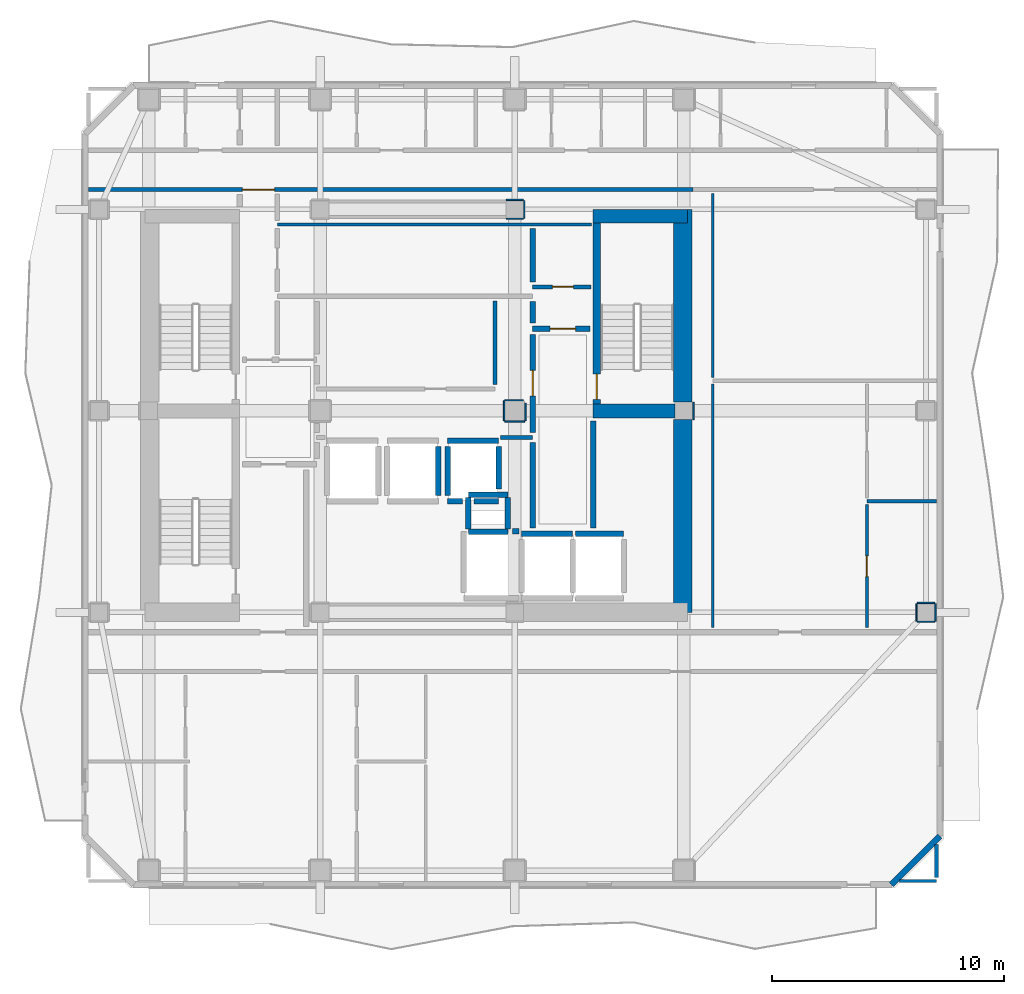
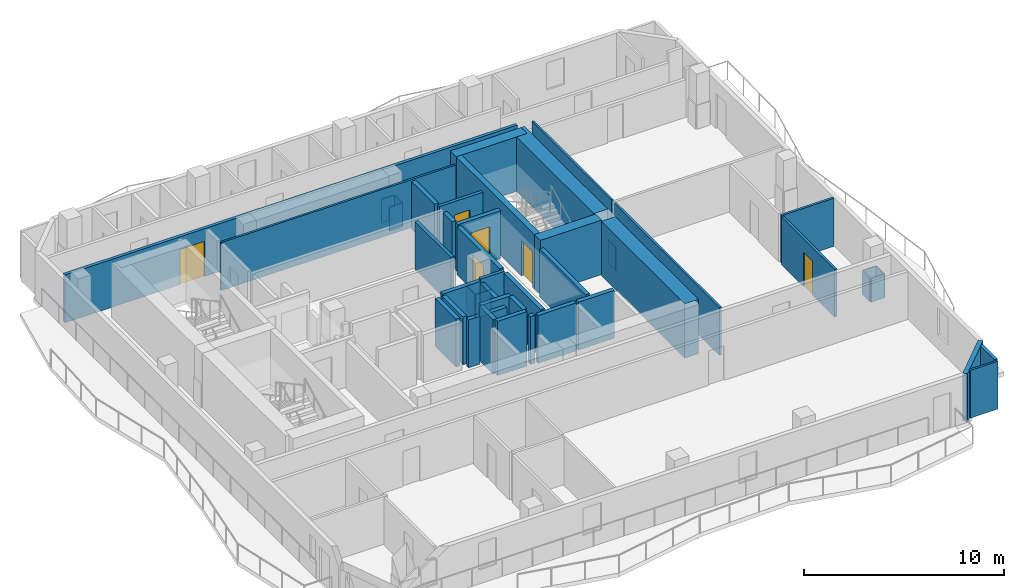
# One storey, part 4 of 9: 48 walls, 6 doors, 6 openings.
"""IFC4 building model written with IfcOpenShell, lengths in metres."""

from ifc_helpers import new_model, si_unit, direction, frame, frame_2d, origin, place, context, subcontext, project, spatial, rectangle, extrude, material, layer, layer_set, type_object, element, fill, save


model = new_model("IFC4")

# Units and contexts
model_context = context("Model", 3, precision=1e-05, world=origin(), true_north=direction((0.0, 1.0)))
body_context = subcontext(model_context, "Body", "Model", "MODEL_VIEW")
ifc_project = project(units=[si_unit("LENGTHUNIT", "METRE"), si_unit("AREAUNIT", "SQUARE_METRE"), si_unit("VOLUMEUNIT", "CUBIC_METRE"), si_unit("PLANEANGLEUNIT", "RADIAN"), si_unit("MASSUNIT", "GRAM", prefix="KILO")], contexts=[model_context])

# Site, building, storey
site_placement = place(None, origin())
site = spatial("IfcSite", under=ifc_project, at=site_placement, CompositionType="ELEMENT")
building_placement = place(site_placement, origin())
building = spatial("IfcBuilding", under=site, at=building_placement, Name="Solanera Arch Residences", CompositionType="ELEMENT")
storey_placement = place(building_placement, frame((0.0, 0.0, 223.360107421875)))
storey = spatial("IfcBuildingStorey", under=building, at=storey_placement, Name="L65", CompositionType="ELEMENT", Elevation=223.360107421875)

# Walls
ifc_material_1 = material(Name="Fire-Rated Gypsum Stud Partition", Category="gypsum")
ifc_layer_1 = layer(ifc_material_1, 0.06005859375)
ifc_layer_set_1 = layer_set([ifc_layer_1], Name="Fire-Rated Gypsum Stud Partition")
wall_type_1 = type_object("IfcWallType", Name="Column Acoustic Furring Wall 60", PredefinedType="PARTITIONING", material=ifc_layer_set_1)
for number, where, z_axis, x_axis, name in (
    (1, (28.8330078125, 38.992919921875, 0.0), (0.0, 0.0, 1.0), (1.0, 0.0, 0.0), "L65 Column Furring 4S"),
    (2, (28.8330078125, 39.806884765625, 0.0), (0.0, 0.0, 1.0), (1.0, 0.0, 0.0), "L65 Column Furring 4N"),
):
    element("IfcWall", number, at=place(storey_placement, frame(where, z_axis=z_axis, x_axis=x_axis)), inside=storey, type_object=wall_type_1, Name=name, PredefinedType="PARTITIONING", context=body_context, shape_type="SweptSolid", body=[
        extrude(rectangle(XDim=0.741943359375, YDim=0.06005859375, at=frame_2d((0.37109375, 0.0))), origin(), (0.0, 0.0, 1.0), 1.449951171875),
    ])
for number, where, z_axis, x_axis, name in (
    (3, (29.60693359375, 39.02490234375, 0.0), (0.0, 0.0, 1.0), (0.0, 1.0, 0.0), "L65 Column Furring 4E"),
    (4, (36.906982421875, 30.324951171875, 0.0), (0.0, 0.0, 1.0), (0.0, 1.0, 0.0), "L65 Column Furring 6E"),
):
    element("IfcWall", number, at=place(storey_placement, frame(where, z_axis=z_axis, x_axis=x_axis)), inside=storey, type_object=wall_type_1, Name=name, PredefinedType="PARTITIONING", context=body_context, shape_type="SweptSolid", body=[
        extrude(rectangle(XDim=0.75, YDim=0.06005859375, at=frame_2d((0.375, 0.0))), origin(), (0.0, 0.0, 1.0), 1.449951171875),
    ])
wall_1_placement = place(storey_placement, frame((28.77490234375, 30.242919921875, 0.0), z_axis=(0.0, 0.0, 1.0), x_axis=(1.0, 0.0, 0.0)))
element("IfcWall", 5, at=wall_1_placement, inside=storey, type_object=wall_type_1, Name="L65 Column Furring 8S", PredefinedType="PARTITIONING", context=body_context, shape_type="SweptSolid", body=[
    extrude(rectangle(XDim=0.85009765625, YDim=0.06005859375, at=frame_2d((0.425048828125, 0.0))), origin(), (0.0, 0.0, 1.0), 1.449951171875),
])
wall_2_placement = place(storey_placement, frame((28.77490234375, 31.156982421875, 0.0), z_axis=(0.0, 0.0, 1.0), x_axis=(1.0, 0.0, 0.0)))
element("IfcWall", 6, at=wall_2_placement, inside=storey, type_object=wall_type_1, Name="L65 Column Furring 8N", PredefinedType="PARTITIONING", context=body_context, shape_type="SweptSolid", body=[
    extrude(rectangle(XDim=0.794189453125, YDim=0.06005859375, at=frame_2d((0.39697265625, 0.0))), origin(), (0.0, 0.0, 1.0), 1.449951171875),
])
wall_3_placement = place(storey_placement, frame((28.742919921875, 30.27490234375, 0.0), z_axis=(0.0, 0.0, 1.0), x_axis=(0.0, 1.0, 0.0)))
element("IfcWall", 7, at=wall_3_placement, inside=storey, type_object=wall_type_1, Name="L65 Column Furring 8W", PredefinedType="PARTITIONING", context=body_context, shape_type="SweptSolid", body=[
    extrude(rectangle(XDim=0.85009765625, YDim=0.06005859375, at=frame_2d((0.425048828125, 0.0))), origin(), (0.0, 0.0, 1.0), 1.449951171875),
])
wall_4_placement = place(storey_placement, frame((29.656982421875, 30.27490234375, 0.0), z_axis=(0.0, 0.0, 1.0), x_axis=(0.0, 1.0, 0.0)))
element("IfcWall", 8, at=wall_4_placement, inside=storey, type_object=wall_type_1, Name="L65 Column Furring 8E", PredefinedType="PARTITIONING", context=body_context, shape_type="SweptSolid", body=[
    extrude(rectangle(XDim=0.757080078125, YDim=0.06005859375, at=frame_2d((0.37841796875, 0.0))), origin(), (0.0, 0.0, 1.0), 1.449951171875),
])
for number, where, z_axis, x_axis, name in (
    (9, (46.574951171875, 21.593017578125, 0.0), (0.0, 0.0, 1.0), (1.0, 0.0, 0.0), "L65 Column Furring 18S"),
    (10, (46.574951171875, 22.406982421875, 0.0), (0.0, 0.0, 1.0), (1.0, 0.0, 0.0), "L65 Column Furring 18N"),
    (11, (46.54296875, 21.625, 0.0), (0.0, 0.0, 1.0), (0.0, 1.0, 0.0), "L65 Column Furring 18W"),
    (12, (47.35693359375, 21.625, 0.0), (0.0, 0.0, 1.0), (0.0, 1.0, 0.0), "L65 Column Furring 18E"),
):
    element("IfcWall", number, at=place(storey_placement, frame(where, z_axis=z_axis, x_axis=x_axis)), inside=storey, type_object=wall_type_1, Name=name, PredefinedType="PARTITIONING", context=body_context, shape_type="SweptSolid", body=[
        extrude(rectangle(XDim=0.75, YDim=0.06005859375, at=frame_2d((0.375, 0.0))), origin(), (0.0, 0.0, 1.0), 1.449951171875),
    ])

# Wall, opening, door
ifc_material_2 = material(Name="Concrete C40/50 (f'c = 45 MPa)", Category="concrete")
ifc_layer_2 = layer(ifc_material_2, 0.320068359375)
ifc_layer_set_2 = layer_set([ifc_layer_2], Name="Concrete C40/50 (f'c = 45 MPa)")
wall_type_2 = type_object("IfcWallType", Name="Core Shear Wall CW-320", PredefinedType="SHEAR", material=ifc_layer_set_2)
wall_5_placement = place(storey_placement, frame((32.739990234375, 31.0, 0.0), z_axis=(0.0, 0.0, 1.0), x_axis=(0.0, 1.0, 0.0)))
wall_5 = element("IfcWall", 13, at=wall_5_placement, inside=storey, type_object=wall_type_2, Name="L65 Stair ST-T2 West Shear Wall", PredefinedType="SHEAR", context=body_context, shape_type="SweptSolid", body=[
    extrude(rectangle(XDim=7.800048828125, YDim=0.320068359375, at=frame_2d((3.89990234375, 0.0))), origin(), (0.0, 0.0, 1.0), 3.31982421875),
])
opening_1_placement = place(wall_5_placement, frame((0.18994140625, 0.0, 0.0)))
opening_1 = element("IfcOpeningElement", 14, at=opening_1_placement, cuts=wall_5, Name="Opening DF-01", PredefinedType="OPENING", context=body_context, shape_type="SweptSolid", body=[
    extrude(rectangle(XDim=1.10009765625, YDim=2.14990234375, at=frame_2d((0.550048828125, 1.074951171875))), frame((0.0, 0.169921875, 0.0), z_axis=(0.0, -1.0, 0.0), x_axis=(1.0, 0.0, 0.0)), (0.0, 0.0, 1.0), 0.3401),
])
ifc_material_3 = material(Name="Fire-Rated Architectural Hardwood", Category="wood")
door_type_1 = type_object("IfcDoorType", Name="Stair Exit Fire Door DF-01", OperationType="NOTDEFINED", PredefinedType="DOOR", material=ifc_material_3)
door_1_placement = place(opening_1_placement, origin())
door_1 = element("IfcDoor", 15, at=door_1_placement, inside=storey, type_object=door_type_1, Name="DR-L65-STAIR-ST-T2", OperationType="SINGLE_SWING_LEFT", OverallHeight=2.14990234375, OverallWidth=1.10009765625, PredefinedType="DOOR", context=body_context, shape_type="SweptSolid", body=[
    extrude(rectangle(XDim=1.10009765625, YDim=2.14990234375, at=frame_2d((0.550048828125, 1.074951171875))), frame((0.0, 0.02490234375, 0.0), z_axis=(0.0, -1.0, 0.0), x_axis=(1.0, 0.0, 0.0)), (0.0, 0.0, 1.0), 0.050048828125),
])
fill(opening_1, door_1)

# Walls
ifc_material_4 = material(Name="Concrete C40/50 (f'c = 45 MPa)", Category="concrete")
ifc_layer_3 = layer(ifc_material_4, 0.60009765625)
ifc_layer_set_3 = layer_set([ifc_layer_3], Name="Concrete C40/50 (f'c = 45 MPa)")
wall_type_3 = type_object("IfcWallType", Name="Core Shear Wall CW-600", PredefinedType="SHEAR", material=ifc_layer_set_3)
wall_6_placement = place(storey_placement, frame((32.580078125, 39.10009765625, 0.0), z_axis=(0.0, 0.0, 1.0), x_axis=(1.0, 0.0, 0.0)))
element("IfcWall", 16, at=wall_6_placement, inside=storey, type_object=wall_type_3, Name="L65 North-East Core Shear Wall", PredefinedType="SHEAR", context=body_context, shape_type="SweptSolid", body=[
    extrude(rectangle(XDim=4.079833984375, YDim=0.60009765625, at=frame_2d((2.0400390625, 0.0))), origin(), (0.0, 0.0, 1.0), 3.31982421875),
])
wall_7_placement = place(storey_placement, frame((32.580078125, 30.699951171875, 0.0), z_axis=(0.0, 0.0, 1.0), x_axis=(1.0, 0.0, 0.0)))
element("IfcWall", 17, at=wall_7_placement, inside=storey, type_object=wall_type_3, Name="L65 East Stair Far-Landing Shear Wall", PredefinedType="SHEAR", context=body_context, shape_type="SweptSolid", body=[
    extrude(rectangle(XDim=3.5400390625, YDim=0.60009765625, at=frame_2d((1.77001953125, 0.0))), origin(), (0.0, 0.0, 1.0), 3.31982421875),
])
ifc_material_5 = material(Name="Concrete C40/50 (f'c = 45 MPa)", Category="concrete")
ifc_layer_4 = layer(ifc_material_5, 0.800048828125)
ifc_layer_set_4 = layer_set([ifc_layer_4], Name="Concrete C40/50 (f'c = 45 MPa)")
wall_type_4 = type_object("IfcWallType", Name="Core Shear Wall CW-800", PredefinedType="SHEAR", material=ifc_layer_set_4)
wall_8_placement = place(storey_placement, frame((36.4599609375, 22.0, 0.0), z_axis=(0.0, 0.0, 1.0), x_axis=(0.0, 1.0, 0.0)))
element("IfcWall", 18, at=wall_8_placement, inside=storey, type_object=wall_type_4, Name="L65 East Core South Shear Wall", PredefinedType="SHEAR", context=body_context, shape_type="SweptSolid", body=[
    extrude(rectangle(XDim=8.320068359375, YDim=0.800048828125, at=frame_2d((4.16015625, 0.0))), origin(), (0.0, 0.0, 1.0), 3.31982421875),
])
wall_9_placement = place(storey_placement, frame((36.4599609375, 31.080078125, 0.0), z_axis=(0.0, 0.0, 1.0), x_axis=(0.0, 1.0, 0.0)))
element("IfcWall", 19, at=wall_9_placement, inside=storey, type_object=wall_type_4, Name="L65 East Core North Shear Wall", PredefinedType="SHEAR", context=body_context, shape_type="SweptSolid", body=[
    extrude(rectangle(XDim=8.31982421875, YDim=0.800048828125, at=frame_2d((4.159912109375, 0.0))), origin(), (0.0, 0.0, 1.0), 3.31982421875),
])
ifc_material_6 = material(Name="Autoclaved Aerated Concrete Blockwork", Category="masonry")
ifc_layer_5 = layer(ifc_material_6, 0.179931640625)
ifc_layer_set_5 = layer_set([ifc_layer_5], Name="Autoclaved Aerated Concrete Blockwork")
wall_type_5 = type_object("IfcWallType", Name="Corridor Fire Partition 180", PredefinedType="PARTITIONING", material=ifc_layer_set_5)
wall_10_placement = place(storey_placement, frame((28.593017578125, 29.550048828125, 0.0), z_axis=(0.0, 0.0, 1.0), x_axis=(1.0, 0.0, 0.0)))
element("IfcWall", 20, at=wall_10_placement, inside=storey, type_object=wall_type_5, Name="L65 Interior Partition H8 2", PredefinedType="PARTITIONING", context=body_context, shape_type="SweptSolid", body=[
    extrude(rectangle(XDim=1.382080078125, YDim=0.179931640625, at=frame_2d((0.69091796875, 0.0))), origin(), (0.0, 0.0, 1.0), 2.919921875),
])

# Wall, opening, door
wall_11_placement = place(storey_placement, frame((29.97509765625, 36.050048828125, 0.0), z_axis=(0.0, 0.0, 1.0), x_axis=(1.0, 0.0, 0.0)))
wall_11 = element("IfcWall", 21, at=wall_11_placement, inside=storey, type_object=wall_type_5, Name="L65 Interior Partition H10", PredefinedType="PARTITIONING", context=body_context, shape_type="SweptSolid", body=[
    extrude(rectangle(XDim=2.5048828125, YDim=0.179931640625, at=frame_2d((1.25244140625, 0.0))), origin(), (0.0, 0.0, 1.0), 2.919921875),
])
opening_2_placement = place(wall_11_placement, frame((0.85205078125, 0.0, 0.0)))
opening_2 = element("IfcOpeningElement", 22, at=opening_2_placement, cuts=wall_11, Name="Opening DI-02", PredefinedType="OPENING", context=body_context, shape_type="SweptSolid", body=[
    extrude(rectangle(XDim=0.89990234375, YDim=2.10009765625, at=frame_2d((0.449951171875, 1.050048828125))), frame((0.0, 0.10009765625, 0.0), z_axis=(0.0, -1.0, 0.0), x_axis=(1.0, 0.0, 0.0)), (0.0, 0.0, 1.0), 0.1999),
])
ifc_material_7 = material(Name="Fire-Rated Architectural Hardwood", Category="wood")
door_type_2 = type_object("IfcDoorType", Name="Suite Room Swing Door DI-02", OperationType="NOTDEFINED", PredefinedType="DOOR", material=ifc_material_7)
door_2_placement = place(opening_2_placement, origin())
door_2 = element("IfcDoor", 23, at=door_2_placement, inside=storey, type_object=door_type_2, Name="DR-L65-IN-011", OperationType="SINGLE_SWING_RIGHT", OverallHeight=2.10009765625, OverallWidth=0.89990234375, PredefinedType="DOOR", context=body_context, shape_type="SweptSolid", body=[
    extrude(rectangle(XDim=0.89990234375, YDim=2.10009765625, at=frame_2d((0.449951171875, 1.050048828125))), frame((0.0, 0.02490234375, 0.0), z_axis=(0.0, -1.0, 0.0), x_axis=(1.0, 0.0, 0.0)), (0.0, 0.0, 1.0), 0.050048828125),
])
fill(opening_2, door_2)

wall_12_placement = place(storey_placement, frame((10.787109375, 40.25, 0.0), z_axis=(0.0, 0.0, 1.0), x_axis=(1.0, 0.0, 0.0)))
wall_12 = element("IfcWall", 24, at=wall_12_placement, inside=storey, type_object=wall_type_5, Name="L65 Interior Partition H11 1", PredefinedType="PARTITIONING", context=body_context, shape_type="SweptSolid", body=[
    extrude(rectangle(XDim=26.101806640625, YDim=0.179931640625, at=frame_2d((13.05078125, 0.0))), origin(), (0.0, 0.0, 1.0), 2.919921875),
])
opening_3_placement = place(wall_12_placement, frame((6.64794921875, 0.0, 0.0)))
opening_3 = element("IfcOpeningElement", 25, at=opening_3_placement, cuts=wall_12, Name="Opening DF-03", PredefinedType="OPENING", context=body_context, shape_type="SweptSolid", body=[
    extrude(rectangle(XDim=1.39990234375, YDim=2.14990234375, at=frame_2d((0.699951171875, 1.074951171875))), frame((0.0, 0.10009765625, 0.0), z_axis=(0.0, -1.0, 0.0), x_axis=(1.0, 0.0, 0.0)), (0.0, 0.0, 1.0), 0.1999),
])
ifc_material_8 = material(Name="Fire-Rated Architectural Hardwood", Category="wood")
door_type_3 = type_object("IfcDoorType", Name="Corridor Smoke Door DF-03", OperationType="NOTDEFINED", PredefinedType="DOOR", material=ifc_material_8)
door_3_placement = place(opening_3_placement, origin())
door_3 = element("IfcDoor", 26, at=door_3_placement, inside=storey, type_object=door_type_3, Name="DR-L65-IN-009", OperationType="SINGLE_SWING_RIGHT", OverallHeight=2.14990234375, OverallWidth=1.39990234375, PredefinedType="DOOR", context=body_context, shape_type="SweptSolid", body=[
    extrude(rectangle(XDim=1.39990234375, YDim=2.14990234375, at=frame_2d((0.699951171875, 1.074951171875))), frame((0.0, 0.02490234375, 0.0), z_axis=(0.0, -1.0, 0.0), x_axis=(1.0, 0.0, 0.0)), (0.0, 0.0, 1.0), 0.050048828125),
])
fill(opening_3, door_3)

# Walls
wall_13_placement = place(storey_placement, frame((28.35009765625, 31.837890625, 0.0), z_axis=(0.0, 0.0, 1.0), x_axis=(0.0, 1.0, 0.0)))
element("IfcWall", 27, at=wall_13_placement, inside=storey, type_object=wall_type_5, Name="L65 Interior Partition V11", PredefinedType="PARTITIONING", context=body_context, shape_type="SweptSolid", body=[
    extrude(rectangle(XDim=3.614013671875, YDim=0.179931640625, at=frame_2d((1.80712890625, 0.0))), origin(), (0.0, 0.0, 1.0), 2.919921875),
])
wall_14_placement = place(storey_placement, frame((47.39990234375, 10.55810546875, 0.0), z_axis=(0.0, 0.0, 1.0), x_axis=(0.0, 1.0, 0.0)))
element("IfcWall", 28, at=wall_14_placement, inside=storey, type_object=wall_type_5, Name="L65 Interior Partition V12 1", PredefinedType="PARTITIONING", context=body_context, shape_type="SweptSolid", body=[
    extrude(rectangle(XDim=1.430908203125, YDim=0.179931640625, at=frame_2d((0.71533203125, 0.0))), origin(), (0.0, 0.0, 1.0), 2.919921875),
])
ifc_material_9 = material(Name="Precast Concrete C35/45", Category="concrete")
ifc_layer_6 = layer(ifc_material_9, 0.260009765625)
ifc_layer_set_6 = layer_set([ifc_layer_6], Name="Precast Concrete C35/45")
wall_type_6 = type_object("IfcWallType", Name="Exterior Wall Precast Masonry-Frame 260", PredefinedType="STANDARD", material=ifc_layer_set_6)
wall_15_placement = place(storey_placement, frame((47.554931640625, 12.344970703125, 0.0), z_axis=(0.0, 0.0, 1.0), x_axis=(-0.707106781187, -0.707106781187, 0.0)))
element("IfcWall", 29, at=wall_15_placement, inside=storey, type_object=wall_type_6, Name="L65 Tower Exterior Precast Masonry-Frame Wall CH5", PredefinedType="STANDARD", context=body_context, shape_type="SweptSolid", body=[
    extrude(rectangle(XDim=2.9697265625, YDim=0.260009765625, at=frame_2d((1.48486328125, 0.0))), origin(), (0.0, 0.0, 1.0), 2.919921875),
])
ifc_material_10 = material(Name="Concrete C40/50 (f'c = 45 MPa)", Category="concrete")
ifc_layer_7 = layer(ifc_material_10, 0.239990234375)
ifc_layer_set_7 = layer_set([ifc_layer_7], Name="Concrete C40/50 (f'c = 45 MPa)")
wall_type_7 = type_object("IfcWallType", Name="Ramp Bearing Shear Wall RW-240", PredefinedType="SHEAR", material=ifc_layer_set_7)
for number, where, z_axis, x_axis, name in (
    (30, (27.199951171875, 25.47998046875, 0.0), (0.0, 0.0, 1.0), (1.0, 0.0, 0.0), "L65 Core MEP Riser South Shaft Wall"),
    (31, (27.199951171875, 27.080078125, 0.0), (0.0, 0.0, 1.0), (1.0, 0.0, 0.0), "L65 Core MEP Riser North Shaft Wall"),
):
    element("IfcWall", number, at=place(storey_placement, frame(where, z_axis=z_axis, x_axis=x_axis)), inside=storey, type_object=wall_type_7, Name=name, PredefinedType="SHEAR", context=body_context, shape_type="SweptSolid", body=[
        extrude(rectangle(XDim=1.699951171875, YDim=0.239990234375, at=frame_2d((0.85009765625, 0.0))), origin(), (0.0, 0.0, 1.0), 3.31982421875),
    ])
for number, where, z_axis, x_axis, name in (
    (32, (27.199951171875, 25.60009765625, 0.0), (0.0, 0.0, 1.0), (0.0, 1.0, 0.0), "L65 Core MEP Riser West Shaft Wall"),
    (33, (28.89990234375, 25.60009765625, 0.0), (0.0, 0.0, 1.0), (0.0, 1.0, 0.0), "L65 Core MEP Riser East Shaft Wall"),
):
    element("IfcWall", number, at=place(storey_placement, frame(where, z_axis=z_axis, x_axis=x_axis)), inside=storey, type_object=wall_type_7, Name=name, PredefinedType="SHEAR", context=body_context, shape_type="SweptSolid", body=[
        extrude(rectangle(XDim=1.35986328125, YDim=0.239990234375, at=frame_2d((0.679931640625, 0.0))), origin(), (0.0, 0.0, 1.0), 3.31982421875),
    ])
ifc_material_11 = material(Name="Autoclaved Aerated Concrete Blockwork", Category="masonry")
ifc_layer_8 = layer(ifc_material_11, 0.239990234375)
ifc_layer_set_8 = layer_set([ifc_layer_8], Name="Autoclaved Aerated Concrete Blockwork")
wall_type_8 = type_object("IfcWallType", Name="Shaft Wall Fire-Rated 240", PredefinedType="PARTITIONING", material=ifc_layer_set_8)
wall_16_placement = place(storey_placement, frame((25.89990234375, 27.048095703125, 0.0), z_axis=(0.0, 0.0, 1.0), x_axis=(0.0, 1.0, 0.0)))
element("IfcWall", 34, at=wall_16_placement, inside=storey, type_object=wall_type_8, Name="L65 Lift PL-H2 Hoistway Wall E", PredefinedType="PARTITIONING", context=body_context, shape_type="SweptSolid", body=[
    extrude(rectangle(XDim=2.10400390625, YDim=0.239990234375, at=frame_2d((1.052001953125, 0.0))), origin(), (0.0, 0.0, 1.0), 2.919921875),
])
wall_17_placement = place(storey_placement, frame((26.300048828125, 26.800048828125, 0.0), z_axis=(0.0, 0.0, 1.0), x_axis=(1.0, 0.0, 0.0)))
element("IfcWall", 35, at=wall_17_placement, inside=storey, type_object=wall_type_8, Name="L65 Lift PL-H3 Hoistway Wall S 1", PredefinedType="PARTITIONING", context=body_context, shape_type="SweptSolid", body=[
    extrude(rectangle(XDim=0.64990234375, YDim=0.239990234375, at=frame_2d((0.324951171875, 0.0))), origin(), (0.0, 0.0, 1.0), 2.919921875),
])
wall_18_placement = place(storey_placement, frame((27.449951171875, 26.800048828125, 0.0), z_axis=(0.0, 0.0, 1.0), x_axis=(1.0, 0.0, 0.0)))
element("IfcWall", 36, at=wall_18_placement, inside=storey, type_object=wall_type_8, Name="L65 Lift PL-H3 Hoistway Wall S 2", PredefinedType="PARTITIONING", context=body_context, shape_type="SweptSolid", body=[
    extrude(rectangle(XDim=1.050048828125, YDim=0.239990234375, at=frame_2d((0.52490234375, 0.0))), origin(), (0.0, 0.0, 1.0), 2.919921875),
])
wall_19_placement = place(storey_placement, frame((26.300048828125, 29.39990234375, 0.0), z_axis=(0.0, 0.0, 1.0), x_axis=(1.0, 0.0, 0.0)))
element("IfcWall", 37, at=wall_19_placement, inside=storey, type_object=wall_type_8, Name="L65 Lift PL-H3 Hoistway Wall N", PredefinedType="PARTITIONING", context=body_context, shape_type="SweptSolid", body=[
    extrude(rectangle(XDim=2.199951171875, YDim=0.239990234375, at=frame_2d((1.10009765625, 0.0))), origin(), (0.0, 0.0, 1.0), 2.919921875),
])
wall_20_placement = place(storey_placement, frame((26.300048828125, 27.048095703125, 0.0), z_axis=(0.0, 0.0, 1.0), x_axis=(0.0, 1.0, 0.0)))
element("IfcWall", 38, at=wall_20_placement, inside=storey, type_object=wall_type_8, Name="L65 Lift PL-H3 Hoistway Wall W", PredefinedType="PARTITIONING", context=body_context, shape_type="SweptSolid", body=[
    extrude(rectangle(XDim=2.10400390625, YDim=0.239990234375, at=frame_2d((1.052001953125, 0.0))), origin(), (0.0, 0.0, 1.0), 2.919921875),
])
wall_21_placement = place(storey_placement, frame((28.5, 27.330078125, 0.0), z_axis=(0.0, 0.0, 1.0), x_axis=(0.0, 1.0, 0.0)))
element("IfcWall", 39, at=wall_21_placement, inside=storey, type_object=wall_type_8, Name="L65 Lift PL-H3 Hoistway Wall E", PredefinedType="PARTITIONING", context=body_context, shape_type="SweptSolid", body=[
    extrude(rectangle(XDim=1.822021484375, YDim=0.239990234375, at=frame_2d((0.9111328125, 0.0))), origin(), (0.0, 0.0, 1.0), 2.919921875),
])
wall_22_placement = place(storey_placement, frame((29.5, 25.39990234375, 0.0), z_axis=(0.0, 0.0, 1.0), x_axis=(1.0, 0.0, 0.0)))
element("IfcWall", 40, at=wall_22_placement, inside=storey, type_object=wall_type_8, Name="L65 Lift FFL-1 Hoistway Wall N", PredefinedType="PARTITIONING", context=body_context, shape_type="SweptSolid", body=[
    extrude(rectangle(XDim=2.199951171875, YDim=0.239990234375, at=frame_2d((1.10009765625, 0.0))), origin(), (0.0, 0.0, 1.0), 2.919921875),
])
wall_23_placement = place(storey_placement, frame((31.827880859375, 25.39990234375, 0.0), z_axis=(0.0, 0.0, 1.0), x_axis=(1.0, 0.0, 0.0)))
element("IfcWall", 41, at=wall_23_placement, inside=storey, type_object=wall_type_8, Name="L65 Lift FFL-2 Hoistway Wall N", PredefinedType="PARTITIONING", context=body_context, shape_type="SweptSolid", body=[
    extrude(rectangle(XDim=2.072021484375, YDim=0.239990234375, at=frame_2d((1.0361328125, 0.0))), origin(), (0.0, 0.0, 1.0), 2.919921875),
])
wall_24_placement = place(storey_placement, frame((29.10302734375, 25.5, 0.0), z_axis=(0.0, 0.0, 1.0), x_axis=(1.0, 0.0, 0.0)))
element("IfcWall", 42, at=wall_24_placement, inside=storey, type_object=wall_type_8, Name="L65 Lift SVL-1 Hoistway Wall N", PredefinedType="PARTITIONING", context=body_context, shape_type="SweptSolid", body=[
    extrude(rectangle(XDim=0.26904296875, YDim=0.239990234375, at=frame_2d((0.134521484375, 0.0))), origin(), (0.0, 0.0, 1.0), 2.919921875),
])

# Wall, opening, door
wall_25_placement = place(storey_placement, frame((29.97509765625, 34.25, 0.0), z_axis=(0.0, 0.0, 1.0), x_axis=(1.0, 0.0, 0.0)))
wall_25 = element("IfcWall", 43, at=wall_25_placement, inside=storey, type_object=wall_type_8, Name="L65 Interior Partition H5", PredefinedType="PARTITIONING", context=body_context, shape_type="SweptSolid", body=[
    extrude(rectangle(XDim=2.474853515625, YDim=0.239990234375, at=frame_2d((1.2373046875, 0.0))), origin(), (0.0, 0.0, 1.0), 2.919921875),
])
opening_4_placement = place(wall_25_placement, frame((0.751953125, 0.0, 0.0)))
opening_4 = element("IfcOpeningElement", 44, at=opening_4_placement, cuts=wall_25, Name="Opening DF-02", PredefinedType="OPENING", context=body_context, shape_type="SweptSolid", body=[
    extrude(rectangle(XDim=1.10009765625, YDim=2.14990234375, at=frame_2d((0.550048828125, 1.074951171875))), frame((0.0, 0.1298828125, 0.0), z_axis=(0.0, -1.0, 0.0), x_axis=(1.0, 0.0, 0.0)), (0.0, 0.0, 1.0), 0.26),
])
ifc_material_12 = material(Name="Fire-Rated Architectural Hardwood", Category="wood")
door_type_4 = type_object("IfcDoorType", Name="Firefighting Lobby Fire Door DF-02", OperationType="NOTDEFINED", PredefinedType="DOOR", material=ifc_material_12)
door_4_placement = place(opening_4_placement, origin())
door_4 = element("IfcDoor", 45, at=door_4_placement, inside=storey, type_object=door_type_4, Name="DR-L65-IN-007", OperationType="SINGLE_SWING_RIGHT", OverallHeight=2.14990234375, OverallWidth=1.10009765625, PredefinedType="DOOR", context=body_context, shape_type="SweptSolid", body=[
    extrude(rectangle(XDim=1.10009765625, YDim=2.14990234375, at=frame_2d((0.550048828125, 1.074951171875))), frame((0.0, 0.02490234375, 0.0), z_axis=(0.0, -1.0, 0.0), x_axis=(1.0, 0.0, 0.0)), (0.0, 0.0, 1.0), 0.050048828125),
])
fill(opening_4, door_4)

# Wall
wall_26_placement = place(storey_placement, frame((29.97509765625, 25.64794921875, 0.0), z_axis=(0.0, 0.0, 1.0), x_axis=(0.0, 1.0, 0.0)))
element("IfcWall", 46, at=wall_26_placement, inside=storey, type_object=wall_type_8, Name="L65 Interior Partition V5 1", PredefinedType="PARTITIONING", context=body_context, shape_type="SweptSolid", body=[
    extrude(rectangle(XDim=3.68408203125, YDim=0.239990234375, at=frame_2d((1.842041015625, 0.0))), origin(), (0.0, 0.0, 1.0), 2.919921875),
])

# Wall, opening, door
wall_27_placement = place(storey_placement, frame((29.97509765625, 29.76806640625, 0.0), z_axis=(0.0, 0.0, 1.0), x_axis=(0.0, 1.0, 0.0)))
wall_27 = element("IfcWall", 47, at=wall_27_placement, inside=storey, type_object=wall_type_8, Name="L65 Interior Partition V5 2", PredefinedType="PARTITIONING", context=body_context, shape_type="SweptSolid", body=[
    extrude(rectangle(XDim=4.23388671875, YDim=0.239990234375, at=frame_2d((2.116943359375, 0.0))), origin(), (0.0, 0.0, 1.0), 2.919921875),
])
opening_5_placement = place(wall_27_placement, frame((1.58203125, 0.0, 0.0)))
opening_5 = element("IfcOpeningElement", 48, at=opening_5_placement, cuts=wall_27, Name="Opening DF-02", PredefinedType="OPENING", context=body_context, shape_type="SweptSolid", body=[
    extrude(rectangle(XDim=1.10009765625, YDim=2.14990234375, at=frame_2d((0.550048828125, 1.074951171875))), frame((0.0, 0.1298828125, 0.0), z_axis=(0.0, -1.0, 0.0), x_axis=(1.0, 0.0, 0.0)), (0.0, 0.0, 1.0), 0.26),
])
door_5_placement = place(opening_5_placement, origin())
door_5 = element("IfcDoor", 49, at=door_5_placement, inside=storey, type_object=door_type_4, Name="DR-L65-IN-006", OperationType="SINGLE_SWING_LEFT", OverallHeight=2.14990234375, OverallWidth=1.10009765625, PredefinedType="DOOR", context=body_context, shape_type="SweptSolid", body=[
    extrude(rectangle(XDim=1.10009765625, YDim=2.14990234375, at=frame_2d((0.550048828125, 1.074951171875))), frame((0.0, 0.02490234375, 0.0), z_axis=(0.0, -1.0, 0.0), x_axis=(1.0, 0.0, 0.0)), (0.0, 0.0, 1.0), 0.050048828125),
])
fill(opening_5, door_5)

# Walls
wall_28_placement = place(storey_placement, frame((29.97509765625, 34.498046875, 0.0), z_axis=(0.0, 0.0, 1.0), x_axis=(0.0, 1.0, 0.0)))
element("IfcWall", 50, at=wall_28_placement, inside=storey, type_object=wall_type_8, Name="L65 Interior Partition V5 3", PredefinedType="PARTITIONING", context=body_context, shape_type="SweptSolid", body=[
    extrude(rectangle(XDim=0.924072265625, YDim=0.239990234375, at=frame_2d((0.4619140625, 0.0))), origin(), (0.0, 0.0, 1.0), 2.919921875),
])
wall_29_placement = place(storey_placement, frame((29.97509765625, 36.26806640625, 0.0), z_axis=(0.0, 0.0, 1.0), x_axis=(0.0, 1.0, 0.0)))
element("IfcWall", 51, at=wall_29_placement, inside=storey, type_object=wall_type_8, Name="L65 Interior Partition V5 4", PredefinedType="PARTITIONING", context=body_context, shape_type="SweptSolid", body=[
    extrude(rectangle(XDim=2.2939453125, YDim=0.239990234375, at=frame_2d((1.14697265625, 0.0))), origin(), (0.0, 0.0, 1.0), 2.919921875),
])
wall_30_placement = place(storey_placement, frame((32.580078125, 25.64794921875, 0.0), z_axis=(0.0, 0.0, 1.0), x_axis=(0.0, 1.0, 0.0)))
element("IfcWall", 52, at=wall_30_placement, inside=storey, type_object=wall_type_8, Name="L65 Interior Partition V6", PredefinedType="PARTITIONING", context=body_context, shape_type="SweptSolid", body=[
    extrude(rectangle(XDim=4.6220703125, YDim=0.239990234375, at=frame_2d((2.31103515625, 0.0))), origin(), (0.0, 0.0, 1.0), 2.919921875),
])
ifc_material_13 = material(Name="Fire-Rated Gypsum Stud Partition", Category="gypsum")
ifc_layer_9 = layer(ifc_material_13, 0.1201171875)
ifc_layer_set_9 = layer_set([ifc_layer_9], Name="Fire-Rated Gypsum Stud Partition")
wall_type_9 = type_object("IfcWallType", Name="Unit Drywall Partition 120", PredefinedType="PARTITIONING", material=ifc_layer_set_9)
wall_31_placement = place(storey_placement, frame((45.81103515625, 10.39990234375, 0.0), z_axis=(0.0, 0.0, 1.0), x_axis=(1.0, 0.0, 0.0)))
element("IfcWall", 53, at=wall_31_placement, inside=storey, type_object=wall_type_9, Name="L65 Interior Partition H18 2", PredefinedType="PARTITIONING", context=body_context, shape_type="SweptSolid", body=[
    extrude(rectangle(XDim=1.5888671875, YDim=0.1201171875, at=frame_2d((0.79443359375, 0.0))), origin(), (0.0, 0.0, 1.0), 2.919921875),
])
wall_32_placement = place(storey_placement, frame((18.949951171875, 38.75, 0.0), z_axis=(0.0, 0.0, 1.0), x_axis=(1.0, 0.0, 0.0)))
element("IfcWall", 54, at=wall_32_placement, inside=storey, type_object=wall_type_9, Name="L65 Interior Partition H19", PredefinedType="PARTITIONING", context=body_context, shape_type="SweptSolid", body=[
    extrude(rectangle(XDim=13.56005859375, YDim=0.1201171875, at=frame_2d((6.780029296875, 0.0))), origin(), (0.0, 0.0, 1.0), 2.919921875),
])
wall_33_placement = place(storey_placement, frame((37.75, 21.337890625, 0.0), z_axis=(0.0, 0.0, 1.0), x_axis=(0.0, 1.0, 0.0)))
element("IfcWall", 55, at=wall_33_placement, inside=storey, type_object=wall_type_9, Name="L65 Interior Partition V25 1", PredefinedType="PARTITIONING", context=body_context, shape_type="SweptSolid", body=[
    extrude(rectangle(XDim=10.524169921875, YDim=0.1201171875, at=frame_2d((5.26220703125, 0.0))), origin(), (0.0, 0.0, 1.0), 2.919921875),
])
wall_34_placement = place(storey_placement, frame((37.75, 32.137939453125, 0.0), z_axis=(0.0, 0.0, 1.0), x_axis=(0.0, 1.0, 0.0)))
element("IfcWall", 56, at=wall_34_placement, inside=storey, type_object=wall_type_9, Name="L65 Interior Partition V25 2", PredefinedType="PARTITIONING", context=body_context, shape_type="SweptSolid", body=[
    extrude(rectangle(XDim=7.9541015625, YDim=0.1201171875, at=frame_2d((3.97705078125, 0.0))), origin(), (0.0, 0.0, 1.0), 2.919921875),
])
ifc_material_14 = material(Name="Autoclaved Aerated Concrete Blockwork", Category="masonry")
ifc_layer_10 = layer(ifc_material_14, 0.139892578125)
ifc_layer_set_10 = layer_set([ifc_layer_10], Name="Autoclaved Aerated Concrete Blockwork")
wall_type_10 = type_object("IfcWallType", Name="Wet-Room Partition 140", PredefinedType="PARTITIONING", material=ifc_layer_set_10)
wall_35_placement = place(storey_placement, frame((44.39990234375, 26.800048828125, 0.0), z_axis=(0.0, 0.0, 1.0), x_axis=(1.0, 0.0, 0.0)))
element("IfcWall", 57, at=wall_35_placement, inside=storey, type_object=wall_type_10, Name="L65 Interior Partition H15", PredefinedType="PARTITIONING", context=body_context, shape_type="SweptSolid", body=[
    extrude(rectangle(XDim=3.01318359375, YDim=0.139892578125, at=frame_2d((1.506591796875, 0.0))), origin(), (0.0, 0.0, 1.0), 2.919921875),
])

# Wall, opening, door
wall_36_placement = place(storey_placement, frame((44.39990234375, 21.347900390625, 0.0), z_axis=(0.0, 0.0, 1.0), x_axis=(0.0, 1.0, 0.0)))
wall_36 = element("IfcWall", 58, at=wall_36_placement, inside=storey, type_object=wall_type_10, Name="L65 Interior Partition V21 1", PredefinedType="PARTITIONING", context=body_context, shape_type="SweptSolid", body=[
    extrude(rectangle(XDim=5.30419921875, YDim=0.139892578125, at=frame_2d((2.652099609375, 0.0))), origin(), (0.0, 0.0, 1.0), 2.919921875),
])
opening_6_placement = place(wall_36_placement, frame((2.18994140625, 0.0, 0.0)))
opening_6 = element("IfcOpeningElement", 59, at=opening_6_placement, cuts=wall_36, Name="Opening DI-02", PredefinedType="OPENING", context=body_context, shape_type="SweptSolid", body=[
    extrude(rectangle(XDim=0.89990234375, YDim=2.10009765625, at=frame_2d((0.449951171875, 1.050048828125))), frame((0.0, 0.079833984375, 0.0), z_axis=(0.0, -1.0, 0.0), x_axis=(1.0, 0.0, 0.0)), (0.0, 0.0, 1.0), 0.1599),
])
door_6_placement = place(opening_6_placement, origin())
door_6 = element("IfcDoor", 60, at=door_6_placement, inside=storey, type_object=door_type_2, Name="DR-L65-IN-033", OperationType="SINGLE_SWING_RIGHT", OverallHeight=2.10009765625, OverallWidth=0.89990234375, PredefinedType="DOOR", context=body_context, shape_type="SweptSolid", body=[
    extrude(rectangle(XDim=0.89990234375, YDim=2.10009765625, at=frame_2d((0.449951171875, 1.050048828125))), frame((0.0, 0.02490234375, 0.0), z_axis=(0.0, -1.0, 0.0), x_axis=(1.0, 0.0, 0.0)), (0.0, 0.0, 1.0), 0.050048828125),
])
fill(opening_6, door_6)

save(model, "model.ifc")
